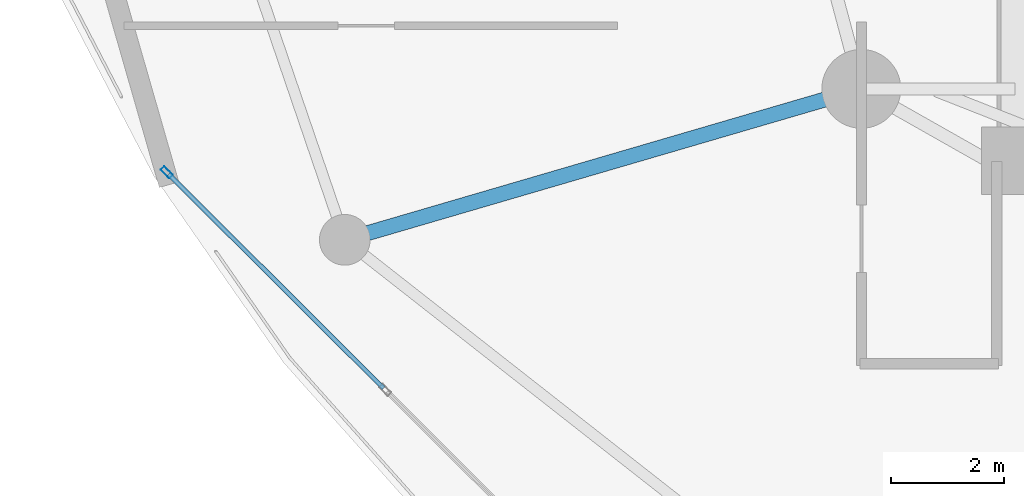
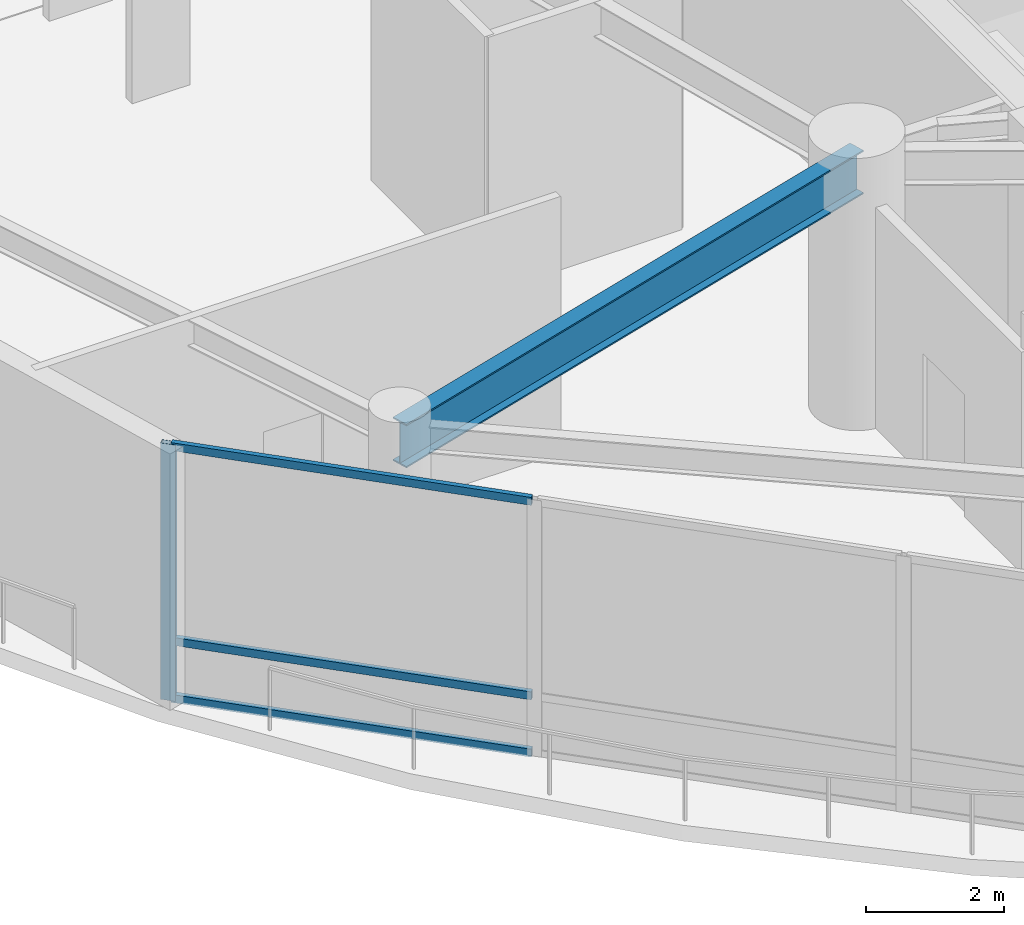
# One storey, part 4 of 40: 4 members, 1 beam, 1 element without a shape of its own.
"""IFC4 building model written with IfcOpenShell, lengths in metres."""

from ifc_helpers import new_model, si_unit, direction, frame, origin, origin_2d, place, context, subcontext, project, spatial, hollow_rectangle, i_section, extrude, material, layer, layer_set, material_profile, profile_set, type_object, element, aggregate, save


model = new_model("IFC4")

# Units and contexts
model_context = context("Model", 3, precision=1e-05, world=origin(), true_north=direction((0.0, 1.0)))
body_context = subcontext(model_context, "Body", "Model", "MODEL_VIEW")
ifc_project = project(units=[si_unit("LENGTHUNIT", "METRE"), si_unit("AREAUNIT", "SQUARE_METRE"), si_unit("VOLUMEUNIT", "CUBIC_METRE"), si_unit("PLANEANGLEUNIT", "RADIAN"), si_unit("MASSUNIT", "GRAM", prefix="KILO")], contexts=[model_context])

# Site, building, storey
site_placement = place(None, origin())
site = spatial("IfcSite", under=ifc_project, at=site_placement, CompositionType="ELEMENT")
building_placement = place(site_placement, origin())
building = spatial("IfcBuilding", under=site, at=building_placement, Name="Kazevale Care Tower and Concert Hall", CompositionType="ELEMENT")
storey_placement = place(building_placement, frame((0.0, 0.0, 9.60009765625)))
storey = spatial("IfcBuildingStorey", under=building, at=storey_placement, Name="L02", CompositionType="ELEMENT", Elevation=9.60009765625)

# Curtain wall, members
ifc_material_1 = material(Name="Aluminium 6063-T6 and Low-E Glass", Category="aluminium")
ifc_layer = layer(ifc_material_1, 0.179931640625)
ifc_layer_set = layer_set([ifc_layer], Name="Aluminium 6063-T6 and Low-E Glass")
curtain_wall_type = type_object("IfcCurtainWallType", Name="Podium Double-Skin Medical Curtain Wall CW-1", PredefinedType="NOTDEFINED", material=ifc_layer_set)
curtain_wall_placement = place(storey_placement, origin())
curtain_wall = element("IfcCurtainWall", 1, at=curtain_wall_placement, inside=storey, type_object=curtain_wall_type, Name="cw:L02:pod:09", PredefinedType="NOTDEFINED")
ifc_material_2 = material(Name="Aluminium 6063-T6", Category="aluminium")
ifc_material_profile_1 = material_profile(ifc_material_2, hollow_rectangle(XDim=0.090087890625, YDim=0.219970703125, WallThickness=0.0048828125, at=origin_2d()), Name="ALU90x220x5")
ifc_profile_set_1 = profile_set([ifc_material_profile_1], Name="Aluminium 6063-T6")
member_type_1 = type_object("IfcMemberType", Name="CW-1 Mullion ALU90x220x5", PredefinedType="MULLION", material=ifc_profile_set_1)
member_1_placement = place(storey_placement, frame((6.93896484375, 23.398193359375, 0.0), z_axis=(0.0, 0.0, 1.0), x_axis=(0.705655814257, 0.708554776856, 0.0)))
member_1 = element("IfcMember", 2, at=member_1_placement, type_object=member_type_1, Name="CW-1 mullion 1", PredefinedType="MULLION", context=body_context, shape_type="SweptSolid", body=[
    extrude(hollow_rectangle(XDim=0.090087890625, YDim=0.219970703125, WallThickness=0.0048828125, at=origin_2d()), origin(), (0.0, 0.0, 1.0), 4.52001953125),
])
ifc_material_profile_2 = material_profile(ifc_material_2, hollow_rectangle(XDim=0.080078125, YDim=0.139892578125, WallThickness=0.00390625, at=origin_2d()), Name="ALU80x140x4")
ifc_profile_set_2 = profile_set([ifc_material_profile_2], Name="Aluminium 6063-T6")
member_type_2 = type_object("IfcMemberType", Name="CW-1 Transom ALU80x140x4", PredefinedType="USERDEFINED", material=ifc_profile_set_2)
member_2_placement = place(storey_placement, frame((6.970703125, 23.366455078125, 0.039794921875), z_axis=(0.708578901075, -0.705631590103, 0.0), x_axis=(0.705631590103, 0.708578901075, 0.0)))
member_2 = element("IfcMember", 3, at=member_2_placement, type_object=member_type_2, Name="CW-1 transom 1.1", ObjectType="TRANSOM", PredefinedType="USERDEFINED", context=body_context, shape_type="SweptSolid", body=[
    extrude(hollow_rectangle(XDim=0.080078125, YDim=0.139892578125, WallThickness=0.00390625, at=origin_2d()), origin(), (0.0, 0.0, 1.0), 5.38427734375),
])
member_3_placement = place(storey_placement, frame((6.970703125, 23.366455078125, 1.0498046875), z_axis=(0.708578901075, -0.705631590103, 0.0), x_axis=(0.705631590103, 0.708578901075, 0.0)))
member_3 = element("IfcMember", 4, at=member_3_placement, type_object=member_type_2, Name="CW-1 transom 1.2", ObjectType="TRANSOM", PredefinedType="USERDEFINED", context=body_context, shape_type="SweptSolid", body=[
    extrude(hollow_rectangle(XDim=0.080078125, YDim=0.139892578125, WallThickness=0.00390625, at=origin_2d()), origin(), (0.0, 0.0, 1.0), 5.38427734375),
])
member_4_placement = place(storey_placement, frame((6.970703125, 23.366455078125, 4.47998046875), z_axis=(0.708578901075, -0.705631590103, 0.0), x_axis=(0.705631590103, 0.708578901075, 0.0)))
member_4 = element("IfcMember", 5, at=member_4_placement, type_object=member_type_2, Name="CW-1 transom 1.3", ObjectType="TRANSOM", PredefinedType="USERDEFINED", context=body_context, shape_type="SweptSolid", body=[
    extrude(hollow_rectangle(XDim=0.080078125, YDim=0.139892578125, WallThickness=0.00390625, at=origin_2d()), origin(), (0.0, 0.0, 1.0), 5.38427734375),
])
aggregate(curtain_wall, [member_1, member_2, member_3, member_4])

# Beam
ifc_material_3 = material(Name="Steel ASTM A572 Gr 50", Category="steel")
ifc_material_profile_3 = material_profile(ifc_material_3, i_section(OverallWidth=0.26806640625, OverallDepth=0.77001953125, WebThickness=0.015625, FlangeThickness=0.025390625, at=origin_2d()), Name="W760x196")
ifc_profile_set_3 = profile_set([ifc_material_profile_3], Name="Steel ASTM A572 Gr 50")
beam_type = type_object("IfcBeamType", Name="Podium Primary Girder W760x196", PredefinedType="BEAM", material=ifc_profile_set_3)
beam_placement = place(storey_placement, frame((19.27001953125, 24.8798828125, 4.135009765625), z_axis=(-0.959848737665, -0.28051809354, 0.0), x_axis=(0.28051809354, -0.959848737665, 0.0)))
element("IfcBeam", 6, at=beam_placement, inside=storey, type_object=beam_type, Name="beam:L02:podrad:08", PredefinedType="BEAM", context=body_context, shape_type="SweptSolid", body=[
    extrude(i_section(OverallWidth=0.26806640625, OverallDepth=0.77001953125, WebThickness=0.015625, FlangeThickness=0.025390625, at=origin_2d()), origin(), (0.0, 0.0, 1.0), 9.553466796875),
])

save(model, "model.ifc")
